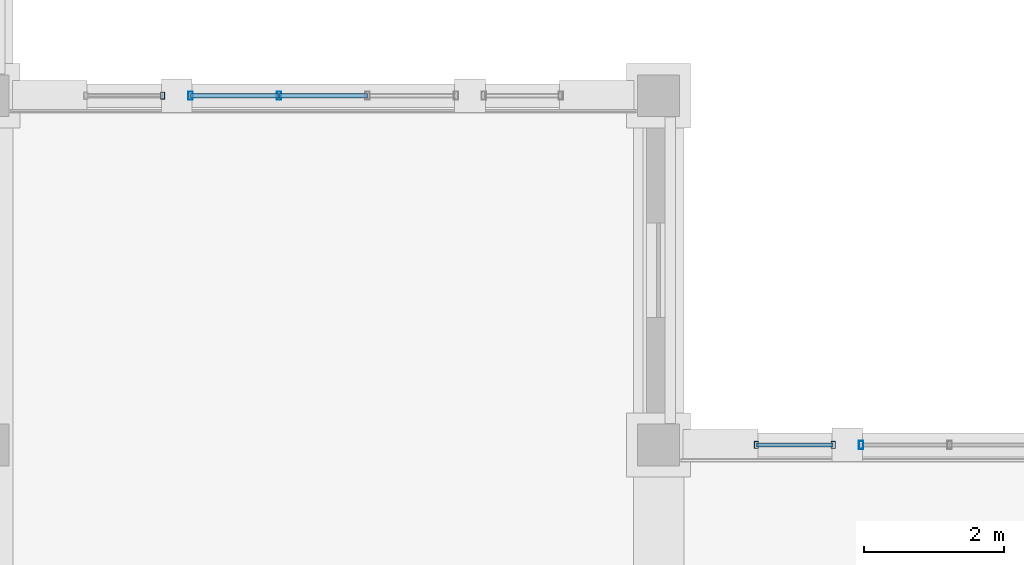
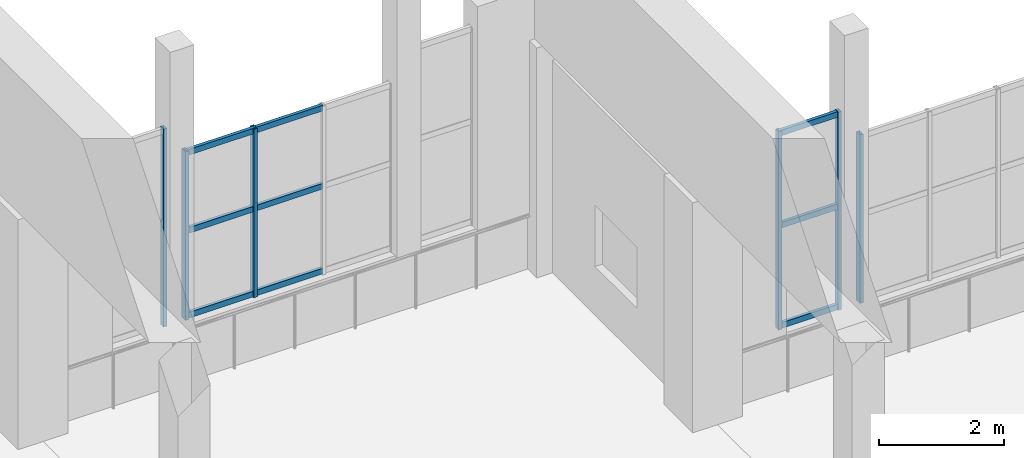
# One storey, part 15 of 46: 15 members, 4 elements without a shape of their own.
"""IFC4 building model written with IfcOpenShell, lengths in metres."""

from ifc_helpers import new_model, si_unit, direction, frame, origin, origin_2d, place, context, subcontext, project, spatial, hollow_rectangle, extrude, material, material_profile, profile_set, type_object, element, aggregate, save


model = new_model("IFC4")

# Units and contexts
model_context = context("Model", 3, precision=1e-05, world=origin(), true_north=direction((0.0, 1.0)))
body_context = subcontext(model_context, "Body", "Model", "MODEL_VIEW")
ifc_project = project(units=[si_unit("LENGTHUNIT", "METRE"), si_unit("AREAUNIT", "SQUARE_METRE"), si_unit("VOLUMEUNIT", "CUBIC_METRE"), si_unit("PLANEANGLEUNIT", "RADIAN"), si_unit("MASSUNIT", "GRAM", prefix="KILO")], contexts=[model_context])

# Site, building, storey
site_placement = place(None, origin())
site = spatial("IfcSite", under=ifc_project, at=site_placement, CompositionType="ELEMENT")
building_placement = place(site_placement, origin())
building = spatial("IfcBuilding", under=site, at=building_placement, Name="Mavantir Sound Aquarium", CompositionType="ELEMENT")
storey_placement = place(building_placement, frame((0.0, 0.0, 15.300048828125)))
storey = spatial("IfcBuildingStorey", under=building, at=storey_placement, Name="L03", CompositionType="ELEMENT", Elevation=15.300048828125)

# Curtain wall, member
ifc_material_1 = material(Name="Anodised Marine Aluminium and Low-E Glass", Category="aluminium")
curtain_wall_type_1 = type_object("IfcCurtainWallType", Name="CW-T02", PredefinedType="USERDEFINED", material=ifc_material_1)
curtain_wall_1_placement = place(storey_placement, origin())
curtain_wall_1 = element("IfcCurtainWall", 1, at=curtain_wall_1_placement, inside=storey, type_object=curtain_wall_type_1, Name="L03 unitised curtain wall CW-02 169", ObjectType="UNITISED GLAZING", PredefinedType="USERDEFINED")
ifc_material_2 = material(Name="Anodised Marine Aluminium 6063-T6", Category="aluminium")
ifc_material_profile_1 = material_profile(ifc_material_2, hollow_rectangle(XDim=0.06005859375, YDim=0.10009765625, WallThickness=0.00390625, at=origin_2d()), Name="ALU-MULLION-100X60")
ifc_profile_set_1 = profile_set([ifc_material_profile_1], Name="Anodised Marine Aluminium 6063-T6")
member_type_1 = type_object("IfcMemberType", Name="CW-MUL-100", PredefinedType="MULLION", material=ifc_profile_set_1)
member_1_placement = place(storey_placement, frame((148.89990234375, 70.800048828125, 1.119873046875), z_axis=(0.0, 0.0, 1.0), x_axis=(1.0, 0.0, 0.0)))
member_1 = element("IfcMember", 2, at=member_1_placement, type_object=member_type_1, Name="CW-DIOC-5N-L vertical mullion 2", PredefinedType="MULLION", context=body_context, shape_type="SweptSolid", body=[
    extrude(hollow_rectangle(XDim=0.06005859375, YDim=0.10009765625, WallThickness=0.00390625, at=origin_2d()), origin(), (0.0, 0.0, 1.0), 3.880126953125),
])
aggregate(curtain_wall_1, [member_1])

# Curtain wall, members
curtain_wall_type_2 = type_object("IfcCurtainWallType", Name="CW-T08", PredefinedType="USERDEFINED", material=ifc_material_1)
curtain_wall_2_placement = place(storey_placement, origin())
curtain_wall_2 = element("IfcCurtainWall", 3, at=curtain_wall_2_placement, inside=storey, type_object=curtain_wall_type_2, Name="L03 unitised curtain wall CW-08 175", ObjectType="UNITISED GLAZING", PredefinedType="USERDEFINED")
member_2_placement = place(storey_placement, frame((157.39990234375, 65.800048828125, 1.119873046875), z_axis=(0.0, 0.0, 1.0), x_axis=(1.0, 0.0, 0.0)))
member_2 = element("IfcMember", 4, at=member_2_placement, type_object=member_type_1, Name="CW-DIOC-6N-L vertical mullion 1", PredefinedType="MULLION", context=body_context, shape_type="SweptSolid", body=[
    extrude(hollow_rectangle(XDim=0.06005859375, YDim=0.10009765625, WallThickness=0.00390625, at=origin_2d()), origin(), (0.0, 0.0, 1.0), 3.880126953125),
])
member_3_placement = place(storey_placement, frame((158.5, 65.800048828125, 1.119873046875), z_axis=(0.0, 0.0, 1.0), x_axis=(1.0, 0.0, 0.0)))
member_3 = element("IfcMember", 5, at=member_3_placement, type_object=member_type_1, Name="CW-DIOC-6N-L vertical mullion 2", PredefinedType="MULLION", context=body_context, shape_type="SweptSolid", body=[
    extrude(hollow_rectangle(XDim=0.06005859375, YDim=0.10009765625, WallThickness=0.00390625, at=origin_2d()), origin(), (0.0, 0.0, 1.0), 3.880126953125),
])

curtain_wall_type_3 = type_object("IfcCurtainWallType", Name="CW-T01", PredefinedType="USERDEFINED", material=ifc_material_1)
curtain_wall_3_placement = place(storey_placement, origin())
curtain_wall_3 = element("IfcCurtainWall", 6, at=curtain_wall_3_placement, inside=storey, type_object=curtain_wall_type_3, Name="L03 unitised curtain wall CW-01 168", ObjectType="UNITISED GLAZING", PredefinedType="USERDEFINED")
ifc_material_profile_2 = material_profile(ifc_material_2, hollow_rectangle(XDim=0.06494140625, YDim=0.1201171875, WallThickness=0.00390625, at=origin_2d()), Name="ALU-MULLION-120X65")
ifc_profile_set_2 = profile_set([ifc_material_profile_2], Name="Anodised Marine Aluminium 6063-T6")
member_type_2 = type_object("IfcMemberType", Name="CW-MUL-120", PredefinedType="MULLION", material=ifc_profile_set_2)
member_4_placement = place(storey_placement, frame((149.300048828125, 70.800048828125, 1.119873046875), z_axis=(0.0, 0.0, 1.0), x_axis=(1.0, 0.0, 0.0)))
member_4 = element("IfcMember", 7, at=member_4_placement, type_object=member_type_2, Name="CW-DIOC-5N-C vertical mullion 1", PredefinedType="MULLION", context=body_context, shape_type="SweptSolid", body=[
    extrude(hollow_rectangle(XDim=0.06494140625, YDim=0.1201171875, WallThickness=0.00390625, at=origin_2d()), origin(), (0.0, 0.0, 1.0), 3.300048828125),
])
member_5_placement = place(storey_placement, frame((150.566650390625, 70.800048828125, 1.119873046875), z_axis=(0.0, 0.0, 1.0), x_axis=(1.0, 0.0, 0.0)))
member_5 = element("IfcMember", 8, at=member_5_placement, type_object=member_type_2, Name="CW-DIOC-5N-C vertical mullion 2", PredefinedType="MULLION", context=body_context, shape_type="SweptSolid", body=[
    extrude(hollow_rectangle(XDim=0.06494140625, YDim=0.1201171875, WallThickness=0.00390625, at=origin_2d()), origin(), (0.0, 0.0, 1.0), 3.300048828125),
])

# Curtain wall, member
curtain_wall_type_4 = type_object("IfcCurtainWallType", Name="CW-T07", PredefinedType="USERDEFINED", material=ifc_material_1)
curtain_wall_4_placement = place(storey_placement, origin())
curtain_wall_4 = element("IfcCurtainWall", 9, at=curtain_wall_4_placement, inside=storey, type_object=curtain_wall_type_4, Name="L03 unitised curtain wall CW-07 174", ObjectType="UNITISED GLAZING", PredefinedType="USERDEFINED")
member_6_placement = place(storey_placement, frame((158.89990234375, 65.800048828125, 1.119873046875), z_axis=(0.0, 0.0, 1.0), x_axis=(1.0, 0.0, 0.0)))
member_6 = element("IfcMember", 10, at=member_6_placement, type_object=member_type_2, Name="CW-DIOC-6N-C vertical mullion 1", PredefinedType="MULLION", context=body_context, shape_type="SweptSolid", body=[
    extrude(hollow_rectangle(XDim=0.06494140625, YDim=0.1201171875, WallThickness=0.00390625, at=origin_2d()), origin(), (0.0, 0.0, 1.0), 3.300048828125),
])
aggregate(curtain_wall_4, [member_6])

# Member
ifc_material_profile_3 = material_profile(ifc_material_2, hollow_rectangle(XDim=0.06005859375, YDim=0.110107421875, WallThickness=0.00390625, at=origin_2d()), Name="ALU-TRANSOM-110X60")
ifc_profile_set_3 = profile_set([ifc_material_profile_3], Name="Anodised Marine Aluminium 6063-T6")
member_type_3 = type_object("IfcMemberType", Name="CW-TRN-110", PredefinedType="USERDEFINED", material=ifc_profile_set_3)
member_7_placement = place(storey_placement, frame((149.300048828125, 70.800048828125, 1.175048828125), z_axis=(1.0, 0.0, 0.0), x_axis=(0.0, 1.0, 0.0)))
member_7 = element("IfcMember", 11, at=member_7_placement, type_object=member_type_3, Name="CW-DIOC-5N-C transom 1.1", ObjectType="TRANSOM", PredefinedType="USERDEFINED", context=body_context, shape_type="SweptSolid", body=[
    extrude(hollow_rectangle(XDim=0.06005859375, YDim=0.110107421875, WallThickness=0.00390625, at=origin_2d()), origin(), (0.0, 0.0, 1.0), 1.2666015625),
])

member_8_placement = place(storey_placement, frame((149.300048828125, 70.800048828125, 2.8359375), z_axis=(1.0, 0.0, 0.0), x_axis=(0.0, 1.0, 0.0)))
member_8 = element("IfcMember", 12, at=member_8_placement, type_object=member_type_3, Name="CW-DIOC-5N-C transom 1.2", ObjectType="TRANSOM", PredefinedType="USERDEFINED", context=body_context, shape_type="SweptSolid", body=[
    extrude(hollow_rectangle(XDim=0.06005859375, YDim=0.110107421875, WallThickness=0.00390625, at=origin_2d()), origin(), (0.0, 0.0, 1.0), 1.2666015625),
])

member_9_placement = place(storey_placement, frame((149.300048828125, 70.800048828125, 4.364990234375), z_axis=(1.0, 0.0, 0.0), x_axis=(0.0, 1.0, 0.0)))
member_9 = element("IfcMember", 13, at=member_9_placement, type_object=member_type_3, Name="CW-DIOC-5N-C transom 1.3", ObjectType="TRANSOM", PredefinedType="USERDEFINED", context=body_context, shape_type="SweptSolid", body=[
    extrude(hollow_rectangle(XDim=0.06005859375, YDim=0.110107421875, WallThickness=0.00390625, at=origin_2d()), origin(), (0.0, 0.0, 1.0), 1.2666015625),
])

member_10_placement = place(storey_placement, frame((150.566650390625, 70.800048828125, 1.175048828125), z_axis=(1.0, 0.0, 0.0), x_axis=(0.0, 1.0, 0.0)))
member_10 = element("IfcMember", 14, at=member_10_placement, type_object=member_type_3, Name="CW-DIOC-5N-C transom 2.1", ObjectType="TRANSOM", PredefinedType="USERDEFINED", context=body_context, shape_type="SweptSolid", body=[
    extrude(hollow_rectangle(XDim=0.06005859375, YDim=0.110107421875, WallThickness=0.00390625, at=origin_2d()), origin(), (0.0, 0.0, 1.0), 1.2666015625),
])

member_11_placement = place(storey_placement, frame((150.566650390625, 70.800048828125, 2.8359375), z_axis=(1.0, 0.0, 0.0), x_axis=(0.0, 1.0, 0.0)))
member_11 = element("IfcMember", 15, at=member_11_placement, type_object=member_type_3, Name="CW-DIOC-5N-C transom 2.2", ObjectType="TRANSOM", PredefinedType="USERDEFINED", context=body_context, shape_type="SweptSolid", body=[
    extrude(hollow_rectangle(XDim=0.06005859375, YDim=0.110107421875, WallThickness=0.00390625, at=origin_2d()), origin(), (0.0, 0.0, 1.0), 1.2666015625),
])

member_12_placement = place(storey_placement, frame((150.566650390625, 70.800048828125, 4.364990234375), z_axis=(1.0, 0.0, 0.0), x_axis=(0.0, 1.0, 0.0)))
member_12 = element("IfcMember", 16, at=member_12_placement, type_object=member_type_3, Name="CW-DIOC-5N-C transom 2.3", ObjectType="TRANSOM", PredefinedType="USERDEFINED", context=body_context, shape_type="SweptSolid", body=[
    extrude(hollow_rectangle(XDim=0.06005859375, YDim=0.110107421875, WallThickness=0.00390625, at=origin_2d()), origin(), (0.0, 0.0, 1.0), 1.2666015625),
])

aggregate(curtain_wall_3, [member_4, member_5, member_7, member_8, member_9, member_10, member_11, member_12])

member_13_placement = place(storey_placement, frame((157.39990234375, 65.800048828125, 1.175048828125), z_axis=(1.0, 0.0, 0.0), x_axis=(0.0, 1.0, 0.0)))
member_13 = element("IfcMember", 17, at=member_13_placement, type_object=member_type_3, Name="CW-DIOC-6N-L transom 1.1", ObjectType="TRANSOM", PredefinedType="USERDEFINED", context=body_context, shape_type="SweptSolid", body=[
    extrude(hollow_rectangle(XDim=0.06005859375, YDim=0.110107421875, WallThickness=0.00390625, at=origin_2d()), origin(), (0.0, 0.0, 1.0), 1.10009765625),
])

member_14_placement = place(storey_placement, frame((157.39990234375, 65.800048828125, 3.137451171875), z_axis=(1.0, 0.0, 0.0), x_axis=(0.0, 1.0, 0.0)))
member_14 = element("IfcMember", 18, at=member_14_placement, type_object=member_type_3, Name="CW-DIOC-6N-L transom 1.2", ObjectType="TRANSOM", PredefinedType="USERDEFINED", context=body_context, shape_type="SweptSolid", body=[
    extrude(hollow_rectangle(XDim=0.06005859375, YDim=0.110107421875, WallThickness=0.00390625, at=origin_2d()), origin(), (0.0, 0.0, 1.0), 1.10009765625),
])

member_15_placement = place(storey_placement, frame((157.39990234375, 65.800048828125, 4.945068359375), z_axis=(1.0, 0.0, 0.0), x_axis=(0.0, 1.0, 0.0)))
member_15 = element("IfcMember", 19, at=member_15_placement, type_object=member_type_3, Name="CW-DIOC-6N-L transom 1.3", ObjectType="TRANSOM", PredefinedType="USERDEFINED", context=body_context, shape_type="SweptSolid", body=[
    extrude(hollow_rectangle(XDim=0.06005859375, YDim=0.110107421875, WallThickness=0.00390625, at=origin_2d()), origin(), (0.0, 0.0, 1.0), 1.10009765625),
])

aggregate(curtain_wall_2, [member_2, member_3, member_13, member_14, member_15])

save(model, "model.ifc")
